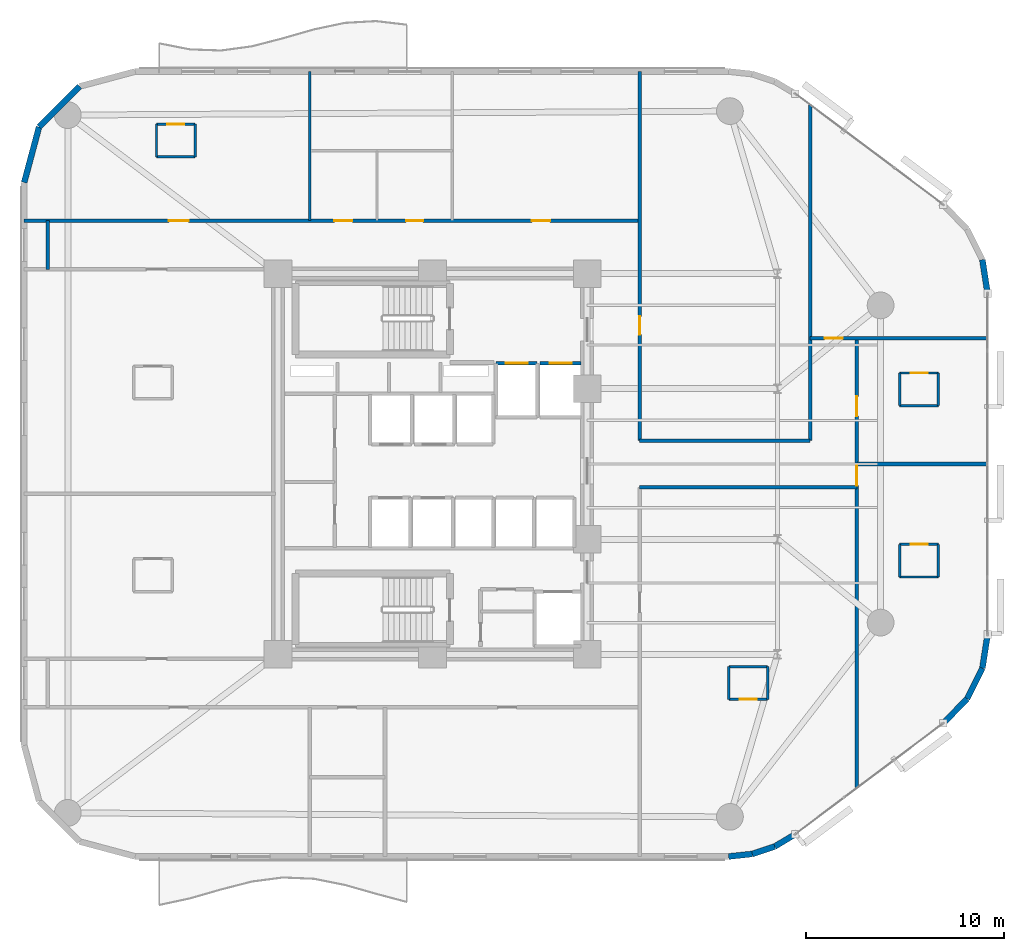
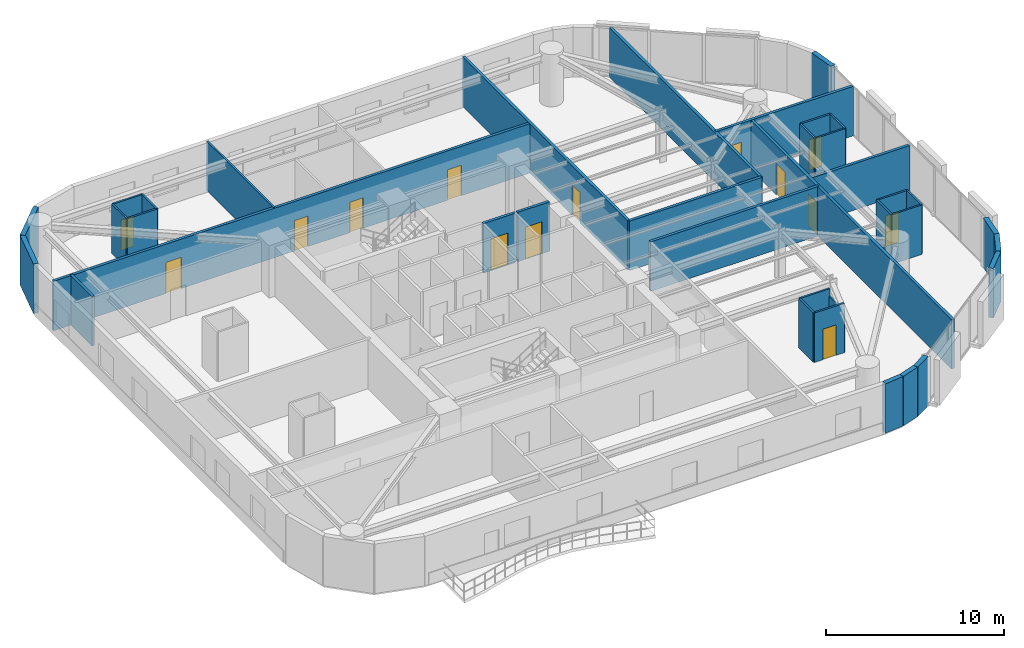
# One storey, part 12 of 16: 37 walls, 14 doors, 14 openings.
"""IFC4 building model written with IfcOpenShell, lengths in metres."""

from ifc_helpers import new_model, si_unit, direction, frame, frame_2d, origin, place, context, subcontext, project, spatial, rectangle, extrude, material, layer, layer_set, type_object, element, fill, save


model = new_model("IFC4")

# Units and contexts
model_context = context("Model", 3, precision=1e-05, world=origin(), true_north=direction((0.0, 1.0)))
body_context = subcontext(model_context, "Body", "Model", "MODEL_VIEW")
ifc_project = project(units=[si_unit("LENGTHUNIT", "METRE"), si_unit("AREAUNIT", "SQUARE_METRE"), si_unit("VOLUMEUNIT", "CUBIC_METRE"), si_unit("PLANEANGLEUNIT", "RADIAN"), si_unit("MASSUNIT", "GRAM", prefix="KILO")], contexts=[model_context])

# Site, building, storey
site_placement = place(None, origin())
site = spatial("IfcSite", under=ifc_project, at=site_placement, CompositionType="ELEMENT")
building_placement = place(site_placement, origin())
building = spatial("IfcBuilding", under=site, at=building_placement, Name="An Khanh Terracotta Commons", CompositionType="ELEMENT")
storey_placement = place(building_placement, frame((0.0, 0.0, 100.699951171875)))
storey = spatial("IfcBuildingStorey", under=building, at=storey_placement, Name="L26", CompositionType="ELEMENT", Elevation=100.699951171875)

# Wall, opening, door
ifc_material_1 = material(Name="Fire-Rated Gypsum Board on Steel Stud", Category="steel")
ifc_layer_1 = layer(ifc_material_1, 0.179931640625, Name="Fire-Rated Gypsum Board on Steel Stud")
ifc_layer_set_1 = layer_set([ifc_layer_1], Name="Fire-Rated Gypsum Board on Steel Stud")
wall_type_1 = type_object("IfcWallType", Name="WALL-CORR-180", PredefinedType="PARTITIONING", material=ifc_layer_set_1)
wall_1_placement = place(storey_placement, frame((32.60009765625, 29.080078125, 0.0), z_axis=(0.0, 0.0, 1.0), x_axis=(1.0, 0.0, 0.0)))
wall_1 = element("IfcWall", 1, at=wall_1_placement, inside=storey, type_object=wall_type_1, Name="L26 Core Wall LSH-L26-FFL-01-N", PredefinedType="PARTITIONING", context=body_context, shape_type="SweptSolid", body=[
    extrude(rectangle(XDim=2.079833984375, YDim=0.179931640625, at=frame_2d((1.0400390625, 0.0))), origin(), (0.0, 0.0, 1.0), 3.400146484375),
])
opening_1_placement = place(wall_1_placement, frame((0.489990234375, 0.0, 0.0)))
opening_1 = element("IfcOpeningElement", 2, at=opening_1_placement, cuts=wall_1, Name="Opening LD-FFL-01-L26", PredefinedType="OPENING", context=body_context, shape_type="SweptSolid", body=[
    extrude(rectangle(XDim=1.10009765625, YDim=2.199951171875, at=frame_2d((0.550048828125, 1.10009765625))), frame((0.0, 0.099853515625, 0.0), z_axis=(0.0, -1.0, 0.0), x_axis=(1.0, 0.0, 0.0)), (0.0, 0.0, 1.0), 0.199951171875),
])
ifc_material_2 = material(Name="Brushed Stainless Steel Fire Landing Door", Category="steel")
door_type_1 = type_object("IfcDoorType", Name="DOOR-LD-FFL-1100", OperationType="NOTDEFINED", PredefinedType="DOOR", material=ifc_material_2)
door_1_placement = place(opening_1_placement, origin())
door_1 = element("IfcDoor", 3, at=door_1_placement, inside=storey, type_object=door_type_1, Name="L26 Lift FFL-01 Sliding Landing Door", OperationType="DOUBLE_DOOR_SLIDING", OverallHeight=2.199951171875, OverallWidth=1.10009765625, PredefinedType="DOOR", context=body_context, shape_type="SweptSolid", body=[
    extrude(rectangle(XDim=1.10009765625, YDim=2.199951171875, at=frame_2d((0.550048828125, 1.10009765625))), frame((0.0, 0.02490234375, 0.0), z_axis=(0.0, -1.0, 0.0), x_axis=(1.0, 0.0, 0.0)), (0.0, 0.0, 1.0), 0.050048828125),
])
fill(opening_1, door_1)

wall_2_placement = place(storey_placement, frame((34.820068359375, 29.080078125, 0.0), z_axis=(0.0, 0.0, 1.0), x_axis=(1.0, 0.0, 0.0)))
wall_2 = element("IfcWall", 4, at=wall_2_placement, inside=storey, type_object=wall_type_1, Name="L26 Core Wall LSH-L26-FFL-02-N", PredefinedType="PARTITIONING", context=body_context, shape_type="SweptSolid", body=[
    extrude(rectangle(XDim=2.079833984375, YDim=0.179931640625, at=frame_2d((1.0400390625, 0.0))), origin(), (0.0, 0.0, 1.0), 3.400146484375),
])
opening_2_placement = place(wall_2_placement, frame((0.489990234375, 0.0, 0.0)))
opening_2 = element("IfcOpeningElement", 5, at=opening_2_placement, cuts=wall_2, Name="Opening LD-FFL-02-L26", PredefinedType="OPENING", context=body_context, shape_type="SweptSolid", body=[
    extrude(rectangle(XDim=1.10009765625, YDim=2.199951171875, at=frame_2d((0.550048828125, 1.10009765625))), frame((0.0, 0.099853515625, 0.0), z_axis=(0.0, -1.0, 0.0), x_axis=(1.0, 0.0, 0.0)), (0.0, 0.0, 1.0), 0.199951171875),
])
door_2_placement = place(opening_2_placement, origin())
door_2 = element("IfcDoor", 6, at=door_2_placement, inside=storey, type_object=door_type_1, Name="L26 Lift FFL-02 Sliding Landing Door", OperationType="DOUBLE_DOOR_SLIDING", OverallHeight=2.199951171875, OverallWidth=1.10009765625, PredefinedType="DOOR", context=body_context, shape_type="SweptSolid", body=[
    extrude(rectangle(XDim=1.10009765625, YDim=2.199951171875, at=frame_2d((0.550048828125, 1.10009765625))), frame((0.0, 0.02490234375, 0.0), z_axis=(0.0, -1.0, 0.0), x_axis=(1.0, 0.0, 0.0)), (0.0, 0.0, 1.0), 0.050048828125),
])
fill(opening_2, door_2)

# Walls
wall_3_placement = place(storey_placement, frame((39.85009765625, 22.820068359375, 0.0), z_axis=(0.0, 0.0, 1.0), x_axis=(1.0, 0.0, 0.0)))
element("IfcWall", 7, at=wall_3_placement, inside=storey, type_object=wall_type_1, Name="L26 Interior Partition IW-L26-E005", PredefinedType="PARTITIONING", context=body_context, shape_type="SweptSolid", body=[
    extrude(rectangle(XDim=10.949951171875, YDim=0.179931640625, at=frame_2d((5.47509765625, 0.0))), origin(), (0.0, 0.0, 1.0), 3.400146484375),
])
wall_4_placement = place(storey_placement, frame((50.800048828125, 24.0, 0.0), z_axis=(0.0, 0.0, 1.0), x_axis=(1.0, 0.0, 0.0)))
element("IfcWall", 8, at=wall_4_placement, inside=storey, type_object=wall_type_1, Name="L26 Interior Partition IW-L26-E006", PredefinedType="PARTITIONING", context=body_context, shape_type="SweptSolid", body=[
    extrude(rectangle(XDim=6.599853515625, YDim=0.179931640625, at=frame_2d((3.2998046875, 0.0))), origin(), (0.0, 0.0, 1.0), 3.18212890625),
])
wall_5_placement = place(storey_placement, frame((39.85009765625, 25.179931640625, 0.0), z_axis=(0.0, 0.0, 1.0), x_axis=(1.0, 0.0, 0.0)))
element("IfcWall", 9, at=wall_5_placement, inside=storey, type_object=wall_type_1, Name="L26 Interior Partition IW-L26-E007", PredefinedType="PARTITIONING", context=body_context, shape_type="SweptSolid", body=[
    extrude(rectangle(XDim=8.599853515625, YDim=0.179931640625, at=frame_2d((4.2998046875, 0.0))), origin(), (0.0, 0.0, 1.0), 3.400146484375),
])

# Wall, opening, door
wall_6_placement = place(storey_placement, frame((48.449951171875, 30.35009765625, 0.0), z_axis=(0.0, 0.0, 1.0), x_axis=(1.0, 0.0, 0.0)))
wall_6 = element("IfcWall", 10, at=wall_6_placement, inside=storey, type_object=wall_type_1, Name="L26 Interior Partition IW-L26-E008", PredefinedType="PARTITIONING", context=body_context, shape_type="SweptSolid", body=[
    extrude(rectangle(XDim=8.949951171875, YDim=0.179931640625, at=frame_2d((4.47509765625, 0.0))), origin(), (0.0, 0.0, 1.0), 3.400146484375),
])
opening_3_placement = place(wall_6_placement, frame((0.73291015625, 0.0, 0.0)))
opening_3 = element("IfcOpeningElement", 11, at=opening_3_placement, cuts=wall_6, Name="Opening D-RM", PredefinedType="OPENING", context=body_context, shape_type="SweptSolid", body=[
    extrude(rectangle(XDim=0.919921875, YDim=2.10009765625, at=frame_2d((0.4599609375, 1.050048828125))), frame((0.0, 0.099853515625, 0.0), z_axis=(0.0, -1.0, 0.0), x_axis=(1.0, 0.0, 0.0)), (0.0, 0.0, 1.0), 0.199951171875),
])
ifc_material_3 = material(Name="Engineered Hardwood Timber Leaf", Category="wood")
door_type_2 = type_object("IfcDoorType", Name="DOOR-INT-920", OperationType="NOTDEFINED", PredefinedType="DOOR", material=ifc_material_3)
door_3_placement = place(opening_3_placement, origin())
door_3 = element("IfcDoor", 12, at=door_3_placement, inside=storey, type_object=door_type_2, Name="L26 ZCN Research Study Office Door", OperationType="SINGLE_SWING_LEFT", OverallHeight=2.10009765625, OverallWidth=0.919921875, PredefinedType="DOOR", context=body_context, shape_type="SweptSolid", body=[
    extrude(rectangle(XDim=0.919921875, YDim=2.10009765625, at=frame_2d((0.4599609375, 1.050048828125))), frame((0.0, 0.02490234375, 0.0), z_axis=(0.0, -1.0, 0.0), x_axis=(1.0, 0.0, 0.0)), (0.0, 0.0, 1.0), 0.050048828125),
])
fill(opening_3, door_3)

# Wall, openings, doors
wall_7_placement = place(storey_placement, frame((8.800048828125, 36.280029296875, 0.0), z_axis=(0.0, 0.0, 1.0), x_axis=(1.0, 0.0, 0.0)))
wall_7 = element("IfcWall", 13, at=wall_7_placement, inside=storey, type_object=wall_type_1, Name="L26 Interior Partition IW-L26-E010", PredefinedType="PARTITIONING", context=body_context, shape_type="SweptSolid", body=[
    extrude(rectangle(XDim=31.050048828125, YDim=0.179931640625, at=frame_2d((15.52490234375, 0.0))), origin(), (0.0, 0.0, 1.0), 3.400146484375),
])
opening_4_placement = place(wall_7_placement, frame((15.64990234375, 0.0, 0.0)))
opening_4 = element("IfcOpeningElement", 14, at=opening_4_placement, cuts=wall_7, Name="Opening D-WC", PredefinedType="OPENING", context=body_context, shape_type="SweptSolid", body=[
    extrude(rectangle(XDim=0.89990234375, YDim=2.10009765625, at=frame_2d((0.449951171875, 1.050048828125))), frame((0.0, 0.099853515625, 0.0), z_axis=(0.0, -1.0, 0.0), x_axis=(1.0, 0.0, 0.0)), (0.0, 0.0, 1.0), 0.199951171875),
])
opening_5_placement = place(wall_7_placement, frame((19.27001953125, 0.0, 0.0)))
opening_5 = element("IfcOpeningElement", 15, at=opening_5_placement, cuts=wall_7, Name="Opening D-ENS", PredefinedType="OPENING", context=body_context, shape_type="SweptSolid", body=[
    extrude(rectangle(XDim=0.860107421875, YDim=2.10009765625, at=frame_2d((0.43017578125, 1.050048828125))), frame((0.0, 0.099853515625, 0.0), z_axis=(0.0, -1.0, 0.0), x_axis=(1.0, 0.0, 0.0)), (0.0, 0.0, 1.0), 0.199951171875),
])
opening_6_placement = place(wall_7_placement, frame((7.300048828125, 0.0, 0.0)))
opening_6 = element("IfcOpeningElement", 16, at=opening_6_placement, cuts=wall_7, Name="Opening D-UN", PredefinedType="OPENING", context=body_context, shape_type="SweptSolid", body=[
    extrude(rectangle(XDim=1.0, YDim=2.14990234375, at=frame_2d((0.5, 1.074951171875))), frame((0.0, 0.099853515625, 0.0), z_axis=(0.0, -1.0, 0.0), x_axis=(1.0, 0.0, 0.0)), (0.0, 0.0, 1.0), 0.199951171875),
])
opening_7_placement = place(wall_7_placement, frame((25.60498046875, 0.0, 0.0)))
opening_7 = element("IfcOpeningElement", 17, at=opening_7_placement, cuts=wall_7, Name="Opening D-RM", PredefinedType="OPENING", context=body_context, shape_type="SweptSolid", body=[
    extrude(rectangle(XDim=0.919921875, YDim=2.10009765625, at=frame_2d((0.4599609375, 1.050048828125))), frame((0.0, 0.099853515625, 0.0), z_axis=(0.0, -1.0, 0.0), x_axis=(1.0, 0.0, 0.0)), (0.0, 0.0, 1.0), 0.199951171875),
])
ifc_material_4 = material(Name="Moisture-Resistant Hardwood Timber Leaf", Category="wood")
door_type_3 = type_object("IfcDoorType", Name="DOOR-BATH-860", OperationType="NOTDEFINED", PredefinedType="DOOR", material=ifc_material_4)
door_4_placement = place(opening_5_placement, origin())
door_4 = element("IfcDoor", 18, at=door_4_placement, inside=storey, type_object=door_type_3, Name="L26 SHW Resident Shared Shower and Washroom Door", OperationType="SINGLE_SWING_LEFT", OverallHeight=2.10009765625, OverallWidth=0.860107421875, PredefinedType="DOOR", context=body_context, shape_type="SweptSolid", body=[
    extrude(rectangle(XDim=0.860107421875, YDim=2.10009765625, at=frame_2d((0.43017578125, 1.050048828125))), frame((0.0, 0.02490234375, 0.0), z_axis=(0.0, -1.0, 0.0), x_axis=(1.0, 0.0, 0.0)), (0.0, 0.0, 1.0), 0.050048828125),
])
fill(opening_5, door_4)
door_5_placement = place(opening_7_placement, origin())
door_5 = element("IfcDoor", 19, at=door_5_placement, inside=storey, type_object=door_type_2, Name="L26 NWE Quiet Focus Office Door", OperationType="SINGLE_SWING_LEFT", OverallHeight=2.10009765625, OverallWidth=0.919921875, PredefinedType="DOOR", context=body_context, shape_type="SweptSolid", body=[
    extrude(rectangle(XDim=0.919921875, YDim=2.10009765625, at=frame_2d((0.4599609375, 1.050048828125))), frame((0.0, 0.02490234375, 0.0), z_axis=(0.0, -1.0, 0.0), x_axis=(1.0, 0.0, 0.0)), (0.0, 0.0, 1.0), 0.050048828125),
])
fill(opening_7, door_5)
ifc_material_5 = material(Name="Solid-Core Hardwood Acoustic Fire Door", Category="wood")
door_type_4 = type_object("IfcDoorType", Name="DOOR-UNIT-1000", OperationType="NOTDEFINED", PredefinedType="DOOR", material=ifc_material_5)
door_6_placement = place(opening_6_placement, origin())
door_6 = element("IfcDoor", 20, at=door_6_placement, inside=storey, type_object=door_type_4, Name="L26 NW1 Kitchenette and Studio Apartment Door", OperationType="SINGLE_SWING_RIGHT", OverallHeight=2.14990234375, OverallWidth=1.0, PredefinedType="DOOR", context=body_context, shape_type="SweptSolid", body=[
    extrude(rectangle(XDim=1.0, YDim=2.14990234375, at=frame_2d((0.5, 1.074951171875))), frame((0.0, 0.02490234375, 0.0), z_axis=(0.0, -1.0, 0.0), x_axis=(1.0, 0.0, 0.0)), (0.0, 0.0, 1.0), 0.050048828125),
])
fill(opening_6, door_6)
ifc_material_6 = material(Name="Laminate Moisture-Resistant Timber Leaf", Category="wood")
door_type_5 = type_object("IfcDoorType", Name="DOOR-WC-900", OperationType="NOTDEFINED", PredefinedType="DOOR", material=ifc_material_6)
door_7_placement = place(opening_4_placement, origin())
door_7 = element("IfcDoor", 21, at=door_7_placement, inside=storey, type_object=door_type_5, Name="L26 AWC Accessible WC Door", OperationType="SINGLE_SWING_RIGHT", OverallHeight=2.10009765625, OverallWidth=0.89990234375, PredefinedType="DOOR", context=body_context, shape_type="SweptSolid", body=[
    extrude(rectangle(XDim=0.89990234375, YDim=2.10009765625, at=frame_2d((0.449951171875, 1.050048828125))), frame((0.0, 0.02490234375, 0.0), z_axis=(0.0, -1.0, 0.0), x_axis=(1.0, 0.0, 0.0)), (0.0, 0.0, 1.0), 0.050048828125),
])
fill(opening_4, door_7)

# Wall
wall_8_placement = place(storey_placement, frame((10.0, 33.820068359375, 0.0), z_axis=(0.0, 0.0, 1.0), x_axis=(0.0, 1.0, 0.0)))
element("IfcWall", 22, at=wall_8_placement, inside=storey, type_object=wall_type_1, Name="L26 Interior Partition IW-L26-E013", PredefinedType="PARTITIONING", context=body_context, shape_type="SweptSolid", body=[
    extrude(rectangle(XDim=2.4599609375, YDim=0.179931640625, at=frame_2d((1.22998046875, 0.0))), origin(), (0.0, 0.0, 1.0), 3.400146484375),
])

# Wall, opening, door
wall_9_placement = place(storey_placement, frame((39.85009765625, 25.179931640625, 0.0), z_axis=(0.0, 0.0, 1.0), x_axis=(0.0, 1.0, 0.0)))
wall_9 = element("IfcWall", 23, at=wall_9_placement, inside=storey, type_object=wall_type_1, Name="L26 Interior Partition IW-L26-E020", PredefinedType="PARTITIONING", context=body_context, shape_type="SweptSolid", body=[
    extrude(rectangle(XDim=18.6201171875, YDim=0.179931640625, at=frame_2d((9.31005859375, 0.0))), origin(), (0.0, 0.0, 1.0), 3.400146484375),
])
opening_8_placement = place(wall_9_placement, frame((5.35009765625, 0.0, 0.0)))
opening_8 = element("IfcOpeningElement", 24, at=opening_8_placement, cuts=wall_9, Name="Opening D-RM", PredefinedType="OPENING", context=body_context, shape_type="SweptSolid", body=[
    extrude(rectangle(XDim=0.919921875, YDim=2.10009765625, at=frame_2d((0.4599609375, 1.050048828125))), frame((0.0, 0.099853515625, 0.0), z_axis=(0.0, -1.0, 0.0), x_axis=(1.0, 0.0, 0.0)), (0.0, 0.0, 1.0), 0.199951171875),
])
door_8_placement = place(opening_8_placement, origin())
door_8 = element("IfcDoor", 25, at=door_8_placement, inside=storey, type_object=door_type_2, Name="L26 ZW1 Research Study Office Door", OperationType="SINGLE_SWING_LEFT", OverallHeight=2.10009765625, OverallWidth=0.919921875, PredefinedType="DOOR", context=body_context, shape_type="SweptSolid", body=[
    extrude(rectangle(XDim=0.919921875, YDim=2.10009765625, at=frame_2d((0.4599609375, 1.050048828125))), frame((0.0, 0.02490234375, 0.0), z_axis=(0.0, -1.0, 0.0), x_axis=(1.0, 0.0, 0.0)), (0.0, 0.0, 1.0), 0.050048828125),
])
fill(opening_8, door_8)

# Wall
wall_10_placement = place(storey_placement, frame((48.449951171875, 25.179931640625, 0.0), z_axis=(0.0, 0.0, 1.0), x_axis=(0.0, 1.0, 0.0)))
element("IfcWall", 26, at=wall_10_placement, inside=storey, type_object=wall_type_1, Name="L26 Interior Partition IW-L26-E021", PredefinedType="PARTITIONING", context=body_context, shape_type="SweptSolid", body=[
    extrude(rectangle(XDim=16.93212890625, YDim=0.179931640625, at=frame_2d((8.466064453125, 0.0))), origin(), (0.0, 0.0, 1.0), 3.400146484375),
])

# Wall, openings, doors
wall_11_placement = place(storey_placement, frame((50.800048828125, 7.64990234375, 0.0), z_axis=(0.0, 0.0, 1.0), x_axis=(0.0, 1.0, 0.0)))
wall_11 = element("IfcWall", 27, at=wall_11_placement, inside=storey, type_object=wall_type_1, Name="L26 Interior Partition IW-L26-E022", PredefinedType="PARTITIONING", context=body_context, shape_type="SweptSolid", body=[
    extrude(rectangle(XDim=22.7001953125, YDim=0.179931640625, at=frame_2d((11.35009765625, 0.0))), origin(), (0.0, 0.0, 1.0), 3.400146484375),
])
opening_9_placement = place(wall_11_placement, frame((18.764892578125, 0.0, 0.0)))
opening_9 = element("IfcOpeningElement", 28, at=opening_9_placement, cuts=wall_11, Name="Opening D-UN", PredefinedType="OPENING", context=body_context, shape_type="SweptSolid", body=[
    extrude(rectangle(XDim=1.0, YDim=2.14990234375, at=frame_2d((0.5, 1.074951171875))), frame((0.0, 0.099853515625, 0.0), z_axis=(0.0, -1.0, 0.0), x_axis=(1.0, 0.0, 0.0)), (0.0, 0.0, 1.0), 0.199951171875),
])
opening_10_placement = place(wall_11_placement, frame((15.260009765625, 0.0, 0.0)))
opening_10 = element("IfcOpeningElement", 29, at=opening_10_placement, cuts=wall_11, Name="Opening D-UN", PredefinedType="OPENING", context=body_context, shape_type="SweptSolid", body=[
    extrude(rectangle(XDim=1.0, YDim=2.14990234375, at=frame_2d((0.5, 1.074951171875))), frame((0.0, 0.099853515625, 0.0), z_axis=(0.0, -1.0, 0.0), x_axis=(1.0, 0.0, 0.0)), (0.0, 0.0, 1.0), 0.199951171875),
])
door_9_placement = place(opening_9_placement, origin())
door_9 = element("IfcDoor", 30, at=door_9_placement, inside=storey, type_object=door_type_4, Name="L26 ZE1 Kitchenette and Studio Apartment Door", OperationType="SINGLE_SWING_RIGHT", OverallHeight=2.14990234375, OverallWidth=1.0, PredefinedType="DOOR", context=body_context, shape_type="SweptSolid", body=[
    extrude(rectangle(XDim=1.0, YDim=2.14990234375, at=frame_2d((0.5, 1.074951171875))), frame((0.0, 0.02490234375, 0.0), z_axis=(0.0, -1.0, 0.0), x_axis=(1.0, 0.0, 0.0)), (0.0, 0.0, 1.0), 0.050048828125),
])
fill(opening_9, door_9)
door_10_placement = place(opening_10_placement, origin())
door_10 = element("IfcDoor", 31, at=door_10_placement, inside=storey, type_object=door_type_4, Name="L26 ZE2 Kitchenette and Studio Apartment Door", OperationType="SINGLE_SWING_LEFT", OverallHeight=2.14990234375, OverallWidth=1.0, PredefinedType="DOOR", context=body_context, shape_type="SweptSolid", body=[
    extrude(rectangle(XDim=1.0, YDim=2.14990234375, at=frame_2d((0.5, 1.074951171875))), frame((0.0, 0.02490234375, 0.0), z_axis=(0.0, -1.0, 0.0), x_axis=(1.0, 0.0, 0.0)), (0.0, 0.0, 1.0), 0.050048828125),
])
fill(opening_10, door_10)

# Walls
ifc_material_7 = material(Name="Precast concrete C40/50", Category="concrete")
ifc_layer_2 = layer(ifc_material_7, 0.300048828125, Name="Precast concrete C40/50")
ifc_layer_set_2 = layer_set([ifc_layer_2], Name="Precast concrete C40/50")
wall_type_2 = type_object("IfcWallType", Name="WALL-EXT-300", PredefinedType="SOLIDWALL", material=ifc_layer_set_2)
wall_12_placement = place(storey_placement, frame((44.3330078125, 4.199951171875, 0.0), z_axis=(0.0, 0.0, 1.0), x_axis=(0.994289103787, 0.106720092254, 0.0)))
element("IfcWall", 32, at=wall_12_placement, inside=storey, type_object=wall_type_2, Name="L26 Insulated Terracotta Exterior Wall 5", PredefinedType="SOLIDWALL", context=body_context, shape_type="SweptSolid", body=[
    extrude(rectangle(XDim=1.19873046875, YDim=0.300048828125, at=frame_2d((0.599365234375, 0.0))), origin(), (0.0, 0.0, 1.0), 3.400146484375),
])
wall_13_placement = place(storey_placement, frame((45.52490234375, 4.327880859375, 0.0), z_axis=(0.0, 0.0, 1.0), x_axis=(0.948744332129, 0.316044604847, 0.0)))
element("IfcWall", 33, at=wall_13_placement, inside=storey, type_object=wall_type_2, Name="L26 Insulated Terracotta Exterior Wall 6", PredefinedType="SOLIDWALL", context=body_context, shape_type="SweptSolid", body=[
    extrude(rectangle(XDim=1.19970703125, YDim=0.300048828125, at=frame_2d((0.599853515625, 0.0))), origin(), (0.0, 0.0, 1.0), 3.400146484375),
])
wall_14_placement = place(storey_placement, frame((46.6630859375, 4.70703125, 0.0), z_axis=(0.0, 0.0, 1.0), x_axis=(0.859320591642, 0.511437308749, 0.0)))
element("IfcWall", 34, at=wall_14_placement, inside=storey, type_object=wall_type_2, Name="L26 Insulated Terracotta Exterior Wall 7", PredefinedType="SOLIDWALL", context=body_context, shape_type="SweptSolid", body=[
    extrude(rectangle(XDim=1.19873046875, YDim=0.300048828125, at=frame_2d((0.599365234375, 0.0))), origin(), (0.0, 0.0, 1.0), 3.400146484375),
])
for number, where, z_axis, x_axis, name in (
    (35, (55.159912109375, 10.919921875, 0.0), (0.0, 0.0, 1.0), (0.6983450845, 0.715761233201, 0.0), "L26 Insulated Terracotta Exterior Wall 9"),
    (36, (56.364013671875, 12.154052734375, 0.0), (0.0, 0.0, 1.0), (0.4472135955, 0.894427191, 0.0), "L26 Insulated Terracotta Exterior Wall 10"),
):
    element("IfcWall", number, at=place(storey_placement, frame(where, z_axis=z_axis, x_axis=x_axis)), inside=storey, type_object=wall_type_2, Name=name, PredefinedType="SOLIDWALL", context=body_context, shape_type="SweptSolid", body=[
        extrude(rectangle(XDim=1.72412109375, YDim=0.300048828125, at=frame_2d((0.862060546875, 0.0))), origin(), (0.0, 0.0, 1.0), 3.400146484375),
    ])
for number, where, z_axis, x_axis, name in (
    (37, (57.135009765625, 13.696044921875, 0.0), (0.0, 0.0, 1.0), (0.153620989032, 0.988129845581, 0.0), "L26 Insulated Terracotta Exterior Wall 11"),
    (38, (57.39990234375, 32.60009765625, 0.0), (0.0, 0.0, 1.0), (-0.153620989032, 0.988129845581, 0.0), "L26 Insulated Terracotta Exterior Wall 13"),
):
    element("IfcWall", number, at=place(storey_placement, frame(where, z_axis=z_axis, x_axis=x_axis)), inside=storey, type_object=wall_type_2, Name=name, PredefinedType="SOLIDWALL", context=body_context, shape_type="SweptSolid", body=[
        extrude(rectangle(XDim=1.724365234375, YDim=0.300048828125, at=frame_2d((0.8623046875, 0.0))), origin(), (0.0, 0.0, 1.0), 3.400146484375),
    ])
wall_15_placement = place(storey_placement, frame((11.60009765625, 43.050048828125, 0.0), z_axis=(0.0, 0.0, 1.0), x_axis=(-0.707106781187, -0.707106781187, 0.0)))
element("IfcWall", 39, at=wall_15_placement, inside=storey, type_object=wall_type_2, Name="L26 Insulated Terracotta Exterior Wall 22", PredefinedType="SOLIDWALL", context=body_context, shape_type="SweptSolid", body=[
    extrude(rectangle(XDim=2.899169921875, YDim=0.300048828125, at=frame_2d((1.44970703125, 0.0))), origin(), (0.0, 0.0, 1.0), 3.400146484375),
])
wall_16_placement = place(storey_placement, frame((9.550048828125, 41.0, 0.0), z_axis=(0.0, 0.0, 1.0), x_axis=(-0.258731875344, -0.96594917914, 0.0)))
element("IfcWall", 40, at=wall_16_placement, inside=storey, type_object=wall_type_2, Name="L26 Insulated Terracotta Exterior Wall 23", PredefinedType="SOLIDWALL", context=body_context, shape_type="SweptSolid", body=[
    extrude(rectangle(XDim=2.898681640625, YDim=0.300048828125, at=frame_2d((1.44921875, 0.0))), origin(), (0.0, 0.0, 1.0), 3.400146484375),
])
ifc_material_8 = material(Name="Moisture-Resistant Cement Board Partition")
ifc_layer_3 = layer(ifc_material_8, 0.1201171875, Name="Moisture-Resistant Cement Board Partition")
ifc_layer_set_3 = layer_set([ifc_layer_3], Name="Moisture-Resistant Cement Board Partition")
wall_type_3 = type_object("IfcWallType", Name="WALL-WET-120", PredefinedType="PARTITIONING", material=ifc_layer_set_3)
wall_17_placement = place(storey_placement, frame((44.35009765625, 13.77490234375, 0.0), z_axis=(0.0, 0.0, 1.0), x_axis=(1.0, 0.0, 0.0)))
element("IfcWall", 41, at=wall_17_placement, inside=storey, type_object=wall_type_3, Name="L26 Interior Partition IW-L26-ZW2-BN", PredefinedType="PARTITIONING", context=body_context, shape_type="SweptSolid", body=[
    extrude(rectangle(XDim=1.949951171875, YDim=0.1201171875, at=frame_2d((0.97509765625, 0.0))), origin(), (0.0, 0.0, 1.0), 3.400146484375),
])

# Wall, opening, door
wall_18_placement = place(storey_placement, frame((46.300048828125, 12.125, 0.0), z_axis=(0.0, 0.0, 1.0), x_axis=(-1.0, 0.0, 0.0)))
wall_18 = element("IfcWall", 42, at=wall_18_placement, inside=storey, type_object=wall_type_3, Name="L26 Interior Partition IW-L26-ZW2-BS", PredefinedType="PARTITIONING", context=body_context, shape_type="SweptSolid", body=[
    extrude(rectangle(XDim=1.949951171875, YDim=0.1201171875, at=frame_2d((0.97509765625, 0.0))), origin(), (0.0, 0.0, 1.0), 3.400146484375),
])
opening_11_placement = place(wall_18_placement, frame((0.544921875, 0.0, 0.0)))
opening_11 = element("IfcOpeningElement", 43, at=opening_11_placement, cuts=wall_18, Name="Opening D-ENS", PredefinedType="OPENING", context=body_context, shape_type="SweptSolid", body=[
    extrude(rectangle(XDim=0.860107421875, YDim=2.10009765625, at=frame_2d((0.43017578125, 1.050048828125))), frame((0.0, 0.070068359375, 0.0), z_axis=(0.0, -1.0, 0.0), x_axis=(1.0, 0.0, 0.0)), (0.0, 0.0, 1.0), 0.14013671875),
])
door_11_placement = place(opening_11_placement, origin())
door_11 = element("IfcDoor", 44, at=door_11_placement, inside=storey, type_object=door_type_3, Name="L26 Studio ZW2 En-suite Door", OperationType="SINGLE_SWING_RIGHT", OverallHeight=2.10009765625, OverallWidth=0.860107421875, PredefinedType="DOOR", context=body_context, shape_type="SweptSolid", body=[
    extrude(rectangle(XDim=0.860107421875, YDim=2.10009765625, at=frame_2d((0.43017578125, 1.050048828125))), frame((0.0, 0.02490234375, 0.0), z_axis=(0.0, -1.0, 0.0), x_axis=(1.0, 0.0, 0.0)), (0.0, 0.0, 1.0), 0.050048828125),
])
fill(opening_11, door_11)

# Walls
wall_19_placement = place(storey_placement, frame((44.35009765625, 13.77490234375, 0.0), z_axis=(0.0, 0.0, 1.0), x_axis=(0.0, -1.0, 0.0)))
element("IfcWall", 45, at=wall_19_placement, inside=storey, type_object=wall_type_3, Name="L26 Interior Partition IW-L26-ZW2-BW", PredefinedType="PARTITIONING", context=body_context, shape_type="SweptSolid", body=[
    extrude(rectangle(XDim=1.64990234375, YDim=0.1201171875, at=frame_2d((0.824951171875, 0.0))), origin(), (0.0, 0.0, 1.0), 3.400146484375),
])
wall_20_placement = place(storey_placement, frame((46.300048828125, 12.125, 0.0), z_axis=(0.0, 0.0, 1.0), x_axis=(0.0, 1.0, 0.0)))
element("IfcWall", 46, at=wall_20_placement, inside=storey, type_object=wall_type_3, Name="L26 Interior Partition IW-L26-ZW2-BE", PredefinedType="PARTITIONING", context=body_context, shape_type="SweptSolid", body=[
    extrude(rectangle(XDim=1.64990234375, YDim=0.1201171875, at=frame_2d((0.824951171875, 0.0))), origin(), (0.0, 0.0, 1.0), 2.882080078125),
])

# Wall, opening, door
wall_21_placement = place(storey_placement, frame((52.965087890625, 28.590087890625, 0.0), z_axis=(0.0, 0.0, 1.0), x_axis=(1.0, 0.0, 0.0)))
wall_21 = element("IfcWall", 47, at=wall_21_placement, inside=storey, type_object=wall_type_3, Name="L26 Interior Partition IW-L26-ZE1-BN", PredefinedType="PARTITIONING", context=body_context, shape_type="SweptSolid", body=[
    extrude(rectangle(XDim=1.949951171875, YDim=0.1201171875, at=frame_2d((0.97509765625, 0.0))), origin(), (0.0, 0.0, 1.0), 3.400146484375),
])
opening_12_placement = place(wall_21_placement, frame((0.544921875, 0.0, 0.0)))
opening_12 = element("IfcOpeningElement", 48, at=opening_12_placement, cuts=wall_21, Name="Opening D-ENS", PredefinedType="OPENING", context=body_context, shape_type="SweptSolid", body=[
    extrude(rectangle(XDim=0.860107421875, YDim=2.10009765625, at=frame_2d((0.43017578125, 1.050048828125))), frame((0.0, 0.070068359375, 0.0), z_axis=(0.0, -1.0, 0.0), x_axis=(1.0, 0.0, 0.0)), (0.0, 0.0, 1.0), 0.14013671875),
])
door_12_placement = place(opening_12_placement, origin())
door_12 = element("IfcDoor", 49, at=door_12_placement, inside=storey, type_object=door_type_3, Name="L26 Studio ZE1 En-suite Door", OperationType="SINGLE_SWING_LEFT", OverallHeight=2.10009765625, OverallWidth=0.860107421875, PredefinedType="DOOR", context=body_context, shape_type="SweptSolid", body=[
    extrude(rectangle(XDim=0.860107421875, YDim=2.10009765625, at=frame_2d((0.43017578125, 1.050048828125))), frame((0.0, 0.02490234375, 0.0), z_axis=(0.0, -1.0, 0.0), x_axis=(1.0, 0.0, 0.0)), (0.0, 0.0, 1.0), 0.050048828125),
])
fill(opening_12, door_12)

# Walls
wall_22_placement = place(storey_placement, frame((54.9150390625, 26.93994140625, 0.0), z_axis=(0.0, 0.0, 1.0), x_axis=(-1.0, 0.0, 0.0)))
element("IfcWall", 50, at=wall_22_placement, inside=storey, type_object=wall_type_3, Name="L26 Interior Partition IW-L26-ZE1-BS", PredefinedType="PARTITIONING", context=body_context, shape_type="SweptSolid", body=[
    extrude(rectangle(XDim=1.949951171875, YDim=0.1201171875, at=frame_2d((0.97509765625, 0.0))), origin(), (0.0, 0.0, 1.0), 3.400146484375),
])
for number, where, z_axis, x_axis, name in (
    (51, (52.965087890625, 28.590087890625, 0.0), (0.0, 0.0, 1.0), (0.0, -1.0, 0.0), "L26 Interior Partition IW-L26-ZE1-BW"),
    (52, (54.9150390625, 26.93994140625, 0.0), (0.0, 0.0, 1.0), (0.0, 1.0, 0.0), "L26 Interior Partition IW-L26-ZE1-BE"),
):
    element("IfcWall", number, at=place(storey_placement, frame(where, z_axis=z_axis, x_axis=x_axis)), inside=storey, type_object=wall_type_3, Name=name, PredefinedType="PARTITIONING", context=body_context, shape_type="SweptSolid", body=[
        extrude(rectangle(XDim=1.650146484375, YDim=0.1201171875, at=frame_2d((0.8251953125, 0.0))), origin(), (0.0, 0.0, 1.0), 3.400146484375),
    ])

# Wall, opening, door
wall_23_placement = place(storey_placement, frame((52.965087890625, 19.947021484375, 0.0), z_axis=(0.0, 0.0, 1.0), x_axis=(1.0, 0.0, 0.0)))
wall_23 = element("IfcWall", 53, at=wall_23_placement, inside=storey, type_object=wall_type_3, Name="L26 Interior Partition IW-L26-ZE2-BN", PredefinedType="PARTITIONING", context=body_context, shape_type="SweptSolid", body=[
    extrude(rectangle(XDim=1.949951171875, YDim=0.1201171875, at=frame_2d((0.97509765625, 0.0))), origin(), (0.0, 0.0, 1.0), 3.400146484375),
])
opening_13_placement = place(wall_23_placement, frame((0.544921875, 0.0, 0.0)))
opening_13 = element("IfcOpeningElement", 54, at=opening_13_placement, cuts=wall_23, Name="Opening D-ENS", PredefinedType="OPENING", context=body_context, shape_type="SweptSolid", body=[
    extrude(rectangle(XDim=0.860107421875, YDim=2.10009765625, at=frame_2d((0.43017578125, 1.050048828125))), frame((0.0, 0.070068359375, 0.0), z_axis=(0.0, -1.0, 0.0), x_axis=(1.0, 0.0, 0.0)), (0.0, 0.0, 1.0), 0.14013671875),
])
door_13_placement = place(opening_13_placement, origin())
door_13 = element("IfcDoor", 55, at=door_13_placement, inside=storey, type_object=door_type_3, Name="L26 Studio ZE2 En-suite Door", OperationType="SINGLE_SWING_RIGHT", OverallHeight=2.10009765625, OverallWidth=0.860107421875, PredefinedType="DOOR", context=body_context, shape_type="SweptSolid", body=[
    extrude(rectangle(XDim=0.860107421875, YDim=2.10009765625, at=frame_2d((0.43017578125, 1.050048828125))), frame((0.0, 0.02490234375, 0.0), z_axis=(0.0, -1.0, 0.0), x_axis=(1.0, 0.0, 0.0)), (0.0, 0.0, 1.0), 0.050048828125),
])
fill(opening_13, door_13)

# Walls
wall_24_placement = place(storey_placement, frame((54.9150390625, 18.297119140625, 0.0), z_axis=(0.0, 0.0, 1.0), x_axis=(-1.0, 0.0, 0.0)))
element("IfcWall", 56, at=wall_24_placement, inside=storey, type_object=wall_type_3, Name="L26 Interior Partition IW-L26-ZE2-BS", PredefinedType="PARTITIONING", context=body_context, shape_type="SweptSolid", body=[
    extrude(rectangle(XDim=1.949951171875, YDim=0.1201171875, at=frame_2d((0.97509765625, 0.0))), origin(), (0.0, 0.0, 1.0), 3.400146484375),
])
for number, where, z_axis, x_axis, name in (
    (57, (52.965087890625, 19.947021484375, 0.0), (0.0, 0.0, 1.0), (0.0, -1.0, 0.0), "L26 Interior Partition IW-L26-ZE2-BW"),
    (58, (54.9150390625, 18.297119140625, 0.0), (0.0, 0.0, 1.0), (0.0, 1.0, 0.0), "L26 Interior Partition IW-L26-ZE2-BE"),
):
    element("IfcWall", number, at=place(storey_placement, frame(where, z_axis=z_axis, x_axis=x_axis)), inside=storey, type_object=wall_type_3, Name=name, PredefinedType="PARTITIONING", context=body_context, shape_type="SweptSolid", body=[
        extrude(rectangle(XDim=1.64990234375, YDim=0.1201171875, at=frame_2d((0.824951171875, 0.0))), origin(), (0.0, 0.0, 1.0), 3.400146484375),
    ])

# Wall, opening, door
wall_25_placement = place(storey_placement, frame((15.47412109375, 41.14208984375, 0.0), z_axis=(0.0, 0.0, 1.0), x_axis=(1.0, 0.0, 0.0)))
wall_25 = element("IfcWall", 59, at=wall_25_placement, inside=storey, type_object=wall_type_3, Name="L26 Interior Partition IW-L26-NW1-BN", PredefinedType="PARTITIONING", context=body_context, shape_type="SweptSolid", body=[
    extrude(rectangle(XDim=1.949951171875, YDim=0.1201171875, at=frame_2d((0.97509765625, 0.0))), origin(), (0.0, 0.0, 1.0), 3.400146484375),
])
opening_14_placement = place(wall_25_placement, frame((0.544921875, 0.0, 0.0)))
opening_14 = element("IfcOpeningElement", 60, at=opening_14_placement, cuts=wall_25, Name="Opening D-ENS", PredefinedType="OPENING", context=body_context, shape_type="SweptSolid", body=[
    extrude(rectangle(XDim=0.860107421875, YDim=2.10009765625, at=frame_2d((0.43017578125, 1.050048828125))), frame((0.0, 0.070068359375, 0.0), z_axis=(0.0, -1.0, 0.0), x_axis=(1.0, 0.0, 0.0)), (0.0, 0.0, 1.0), 0.14013671875),
])
door_14_placement = place(opening_14_placement, origin())
door_14 = element("IfcDoor", 61, at=door_14_placement, inside=storey, type_object=door_type_3, Name="L26 Studio NW1 En-suite Door", OperationType="SINGLE_SWING_LEFT", OverallHeight=2.10009765625, OverallWidth=0.860107421875, PredefinedType="DOOR", context=body_context, shape_type="SweptSolid", body=[
    extrude(rectangle(XDim=0.860107421875, YDim=2.10009765625, at=frame_2d((0.43017578125, 1.050048828125))), frame((0.0, 0.02490234375, 0.0), z_axis=(0.0, -1.0, 0.0), x_axis=(1.0, 0.0, 0.0)), (0.0, 0.0, 1.0), 0.050048828125),
])
fill(opening_14, door_14)

# Walls
wall_26_placement = place(storey_placement, frame((17.424072265625, 39.491943359375, 0.0), z_axis=(0.0, 0.0, 1.0), x_axis=(-1.0, 0.0, 0.0)))
element("IfcWall", 62, at=wall_26_placement, inside=storey, type_object=wall_type_3, Name="L26 Interior Partition IW-L26-NW1-BS", PredefinedType="PARTITIONING", context=body_context, shape_type="SweptSolid", body=[
    extrude(rectangle(XDim=1.949951171875, YDim=0.1201171875, at=frame_2d((0.97509765625, 0.0))), origin(), (0.0, 0.0, 1.0), 3.400146484375),
])
for number, where, z_axis, x_axis, name in (
    (63, (15.47412109375, 41.14208984375, 0.0), (0.0, 0.0, 1.0), (0.0, -1.0, 0.0), "L26 Interior Partition IW-L26-NW1-BW"),
    (64, (17.424072265625, 39.491943359375, 0.0), (0.0, 0.0, 1.0), (0.0, 1.0, 0.0), "L26 Interior Partition IW-L26-NW1-BE"),
):
    element("IfcWall", number, at=place(storey_placement, frame(where, z_axis=z_axis, x_axis=x_axis)), inside=storey, type_object=wall_type_3, Name=name, PredefinedType="PARTITIONING", context=body_context, shape_type="SweptSolid", body=[
        extrude(rectangle(XDim=1.650146484375, YDim=0.1201171875, at=frame_2d((0.8251953125, 0.0))), origin(), (0.0, 0.0, 1.0), 3.400146484375),
    ])
wall_27_placement = place(storey_placement, frame((23.199951171875, 36.280029296875, 0.0), z_axis=(0.0, 0.0, 1.0), x_axis=(0.0, 1.0, 0.0)))
element("IfcWall", 65, at=wall_27_placement, inside=storey, type_object=wall_type_3, Name="L26 Interior Partition IW-L26-E015", PredefinedType="PARTITIONING", context=body_context, shape_type="SweptSolid", body=[
    extrude(rectangle(XDim=7.52001953125, YDim=0.1201171875, at=frame_2d((3.760009765625, 0.0))), origin(), (0.0, 0.0, 1.0), 3.400146484375),
])

save(model, "model.ifc")
